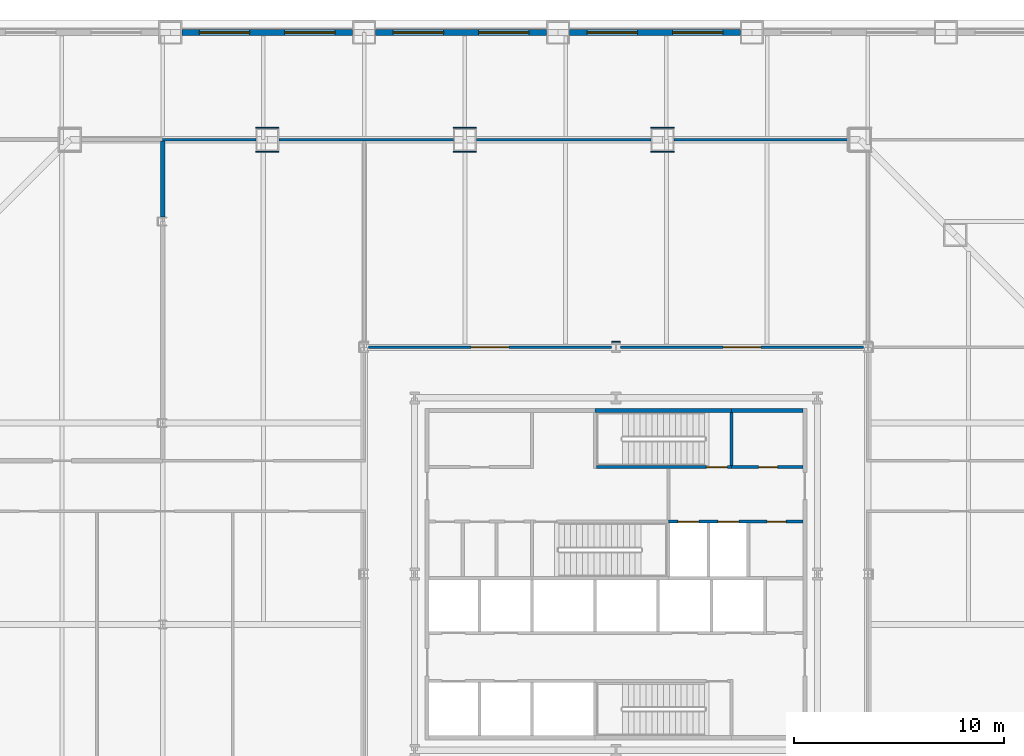
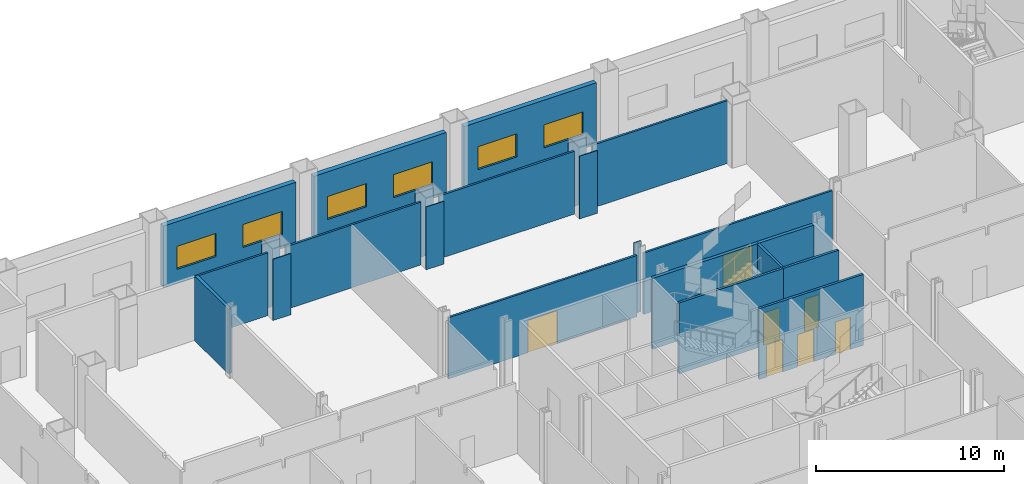
# One storey, part 16 of 25: 23 walls, 7 doors, 6 windows, 13 openings.
"""IFC4 building model written with IfcOpenShell, lengths in metres."""

from ifc_helpers import new_model, si_unit, direction, frame, frame_2d, origin, place, context, subcontext, project, spatial, polyline, rectangle, outline, extrude, material, layer, layer_set, type_object, element, fill, save


model = new_model("IFC4")

# Units and contexts
model_context = context("Model", 3, precision=1e-05, world=origin(), true_north=direction((0.0, 1.0)))
body_context = subcontext(model_context, "Body", "Model", "MODEL_VIEW")
ifc_project = project(units=[si_unit("LENGTHUNIT", "METRE"), si_unit("AREAUNIT", "SQUARE_METRE"), si_unit("VOLUMEUNIT", "CUBIC_METRE"), si_unit("PLANEANGLEUNIT", "RADIAN"), si_unit("MASSUNIT", "GRAM", prefix="KILO")], contexts=[model_context])

# Site, building, storey
site_placement = place(None, origin())
site = spatial("IfcSite", under=ifc_project, at=site_placement, CompositionType="ELEMENT")
building_placement = place(site_placement, origin())
building = spatial("IfcBuilding", under=site, at=building_placement, Name="Cairn Pilgrim Tower", CompositionType="ELEMENT")
storey_placement = place(building_placement, frame((0.0, 0.0, 30.60009765625)))
storey = spatial("IfcBuildingStorey", under=building, at=storey_placement, Name="L05", CompositionType="ELEMENT", Elevation=30.60009765625)

# Wall
ifc_material_1 = material(Name="Concrete C32/40", Category="concrete")
ifc_layer_1 = layer(ifc_material_1, 0.199951171875)
ifc_layer_set_1 = layer_set([ifc_layer_1], Name="CORE OUTER WALL 200 EI 120")
wall_type_1 = type_object("IfcWallType", Name="CORE OUTER WALL 200 EI 120", PredefinedType="SOLIDWALL", material=ifc_layer_set_1)
wall_1_placement = place(storey_placement, frame((12.699951171875, 10.199951171875, 0.0), z_axis=(0.0, 0.0, 1.0), x_axis=(1.0, 0.0, 0.0)))
element("IfcWall", 1, at=wall_1_placement, inside=storey, type_object=wall_type_1, Name="CW:L05:H11-3", PredefinedType="SOLIDWALL", context=body_context, shape_type="SweptSolid", body=[
    extrude(rectangle(XDim=3.400146484375, YDim=0.199951171875, at=frame_2d((1.7001953125, 0.0))), origin(), (0.0, 0.0, 1.0), 4.599853515625),
])

# Wall, openings, doors
ifc_layer_2 = layer(ifc_material_1, 0.14990234375)
ifc_layer_set_2 = layer_set([ifc_layer_2], Name="CORE SHAFT WALL 150 EI 120")
wall_type_2 = type_object("IfcWallType", Name="CORE SHAFT WALL 150 EI 120", PredefinedType="SOLIDWALL", material=ifc_layer_set_2)
wall_2_placement = place(storey_placement, frame((9.699951171875, 4.89990234375, 0.0), z_axis=(0.0, 0.0, 1.0), x_axis=(1.0, 0.0, 0.0)))
wall_2 = element("IfcWall", 2, at=wall_2_placement, inside=storey, type_object=wall_type_2, Name="CW:L05:H08-2", PredefinedType="SOLIDWALL", context=body_context, shape_type="SweptSolid", body=[
    extrude(rectangle(XDim=6.400146484375, YDim=0.14990234375, at=frame_2d((3.2001953125, 0.0))), origin(), (0.0, 0.0, 1.0), 4.599853515625),
])
opening_1_placement = place(wall_2_placement, frame((0.449951171875, 0.0, 0.0)))
opening_1 = element("IfcOpeningElement", 3, at=opening_1_placement, cuts=wall_2, Name="Opening LD-FF1", PredefinedType="OPENING", context=body_context, shape_type="SweptSolid", body=[
    extrude(rectangle(XDim=1.0, YDim=2.10009765625, at=frame_2d((0.5, 1.050048828125))), frame((0.0, 0.0849609375, 0.0), z_axis=(0.0, -1.0, 0.0), x_axis=(1.0, 0.0, 0.0)), (0.0, 0.0, 1.0), 0.169921875),
])
opening_2_placement = place(wall_2_placement, frame((2.35009765625, 0.0, 0.0)))
opening_2 = element("IfcOpeningElement", 4, at=opening_2_placement, cuts=wall_2, Name="Opening LD-FF2", PredefinedType="OPENING", context=body_context, shape_type="SweptSolid", body=[
    extrude(rectangle(XDim=1.0, YDim=2.10009765625, at=frame_2d((0.5, 1.050048828125))), frame((0.0, 0.0849609375, 0.0), z_axis=(0.0, -1.0, 0.0), x_axis=(1.0, 0.0, 0.0)), (0.0, 0.0, 1.0), 0.169921875),
])
opening_3_placement = place(wall_2_placement, frame((4.699951171875, 0.0, 0.0)))
opening_3 = element("IfcOpeningElement", 5, at=opening_3_placement, cuts=wall_2, Name="Opening RD-R3E", PredefinedType="OPENING", context=body_context, shape_type="SweptSolid", body=[
    extrude(rectangle(XDim=0.89990234375, YDim=2.10009765625, at=frame_2d((0.449951171875, 1.050048828125))), frame((0.0, 0.0849609375, 0.0), z_axis=(0.0, -1.0, 0.0), x_axis=(1.0, 0.0, 0.0)), (0.0, 0.0, 1.0), 0.169921875),
])
ifc_material_2 = material(Name="Stainless steel", Category="steel")
door_type_1 = type_object("IfcDoorType", Name="LIFT LANDING DOOR FIRE 1000x2100", OperationType="DOUBLE_DOOR_SLIDING", PredefinedType="DOOR", material=ifc_material_2)
door_1_placement = place(opening_1_placement, origin())
door_1 = element("IfcDoor", 6, at=door_1_placement, inside=storey, type_object=door_type_1, Name="LANDING DOOR FF1", OperationType="DOUBLE_DOOR_SLIDING", OverallHeight=2.10009765625, OverallWidth=1.0, PredefinedType="DOOR", context=body_context, shape_type="SweptSolid", body=[
    extrude(rectangle(XDim=1.0, YDim=2.10009765625, at=frame_2d((0.5, 1.050048828125))), frame((0.0, 0.02490234375, 0.0), z_axis=(0.0, -1.0, 0.0), x_axis=(1.0, 0.0, 0.0)), (0.0, 0.0, 1.0), 0.050048828125),
])
fill(opening_1, door_1)
door_2_placement = place(opening_2_placement, origin())
door_2 = element("IfcDoor", 7, at=door_2_placement, inside=storey, type_object=door_type_1, Name="LANDING DOOR FF2", OperationType="DOUBLE_DOOR_SLIDING", OverallHeight=2.10009765625, OverallWidth=1.0, PredefinedType="DOOR", context=body_context, shape_type="SweptSolid", body=[
    extrude(rectangle(XDim=1.0, YDim=2.10009765625, at=frame_2d((0.5, 1.050048828125))), frame((0.0, 0.02490234375, 0.0), z_axis=(0.0, -1.0, 0.0), x_axis=(1.0, 0.0, 0.0)), (0.0, 0.0, 1.0), 0.050048828125),
])
fill(opening_2, door_2)
ifc_material_3 = material(Name="Painted steel", Category="steel")
door_type_2 = type_object("IfcDoorType", Name="SERVICE ROOM DOOR 900x2100", OperationType="SINGLE_SWING_LEFT", PredefinedType="DOOR", material=ifc_material_3)
door_3_placement = place(opening_3_placement, origin())
door_3 = element("IfcDoor", 8, at=door_3_placement, inside=storey, type_object=door_type_2, Name="RD-R3E", OperationType="SINGLE_SWING_RIGHT", OverallHeight=2.10009765625, OverallWidth=0.89990234375, PredefinedType="DOOR", context=body_context, shape_type="SweptSolid", body=[
    extrude(rectangle(XDim=0.89990234375, YDim=2.10009765625, at=frame_2d((0.449951171875, 1.050048828125))), frame((0.0, 0.02490234375, 0.0), z_axis=(0.0, -1.0, 0.0), x_axis=(1.0, 0.0, 0.0)), (0.0, 0.0, 1.0), 0.050048828125),
])
fill(opening_3, door_3)

# Wall, opening, door
wall_3_placement = place(storey_placement, frame((12.699951171875, 7.5, 0.0), z_axis=(0.0, 0.0, 1.0), x_axis=(1.0, 0.0, 0.0)))
wall_3 = element("IfcWall", 9, at=wall_3_placement, inside=storey, type_object=wall_type_2, Name="CW:L05:H10-2", PredefinedType="SOLIDWALL", context=body_context, shape_type="SweptSolid", body=[
    extrude(rectangle(XDim=3.400146484375, YDim=0.14990234375, at=frame_2d((1.7001953125, 0.0))), origin(), (0.0, 0.0, 1.0), 4.599853515625),
])
opening_4_placement = place(wall_3_placement, frame((1.300048828125, 0.0, 0.0)))
opening_4 = element("IfcOpeningElement", 10, at=opening_4_placement, cuts=wall_3, Name="Opening RD-R4E", PredefinedType="OPENING", context=body_context, shape_type="SweptSolid", body=[
    extrude(rectangle(XDim=0.89990234375, YDim=2.10009765625, at=frame_2d((0.449951171875, 1.050048828125))), frame((0.0, 0.0849609375, 0.0), z_axis=(0.0, -1.0, 0.0), x_axis=(1.0, 0.0, 0.0)), (0.0, 0.0, 1.0), 0.169921875),
])
door_4_placement = place(opening_4_placement, origin())
door_4 = element("IfcDoor", 11, at=door_4_placement, inside=storey, type_object=door_type_2, Name="RD-R4E", OperationType="SINGLE_SWING_LEFT", OverallHeight=2.10009765625, OverallWidth=0.89990234375, PredefinedType="DOOR", context=body_context, shape_type="SweptSolid", body=[
    extrude(rectangle(XDim=0.89990234375, YDim=2.10009765625, at=frame_2d((0.449951171875, 1.050048828125))), frame((0.0, 0.02490234375, 0.0), z_axis=(0.0, -1.0, 0.0), x_axis=(1.0, 0.0, 0.0)), (0.0, 0.0, 1.0), 0.050048828125),
])
fill(opening_4, door_4)

ifc_material_4 = material(Name="Gypsum partition")
ifc_layer_3 = layer(ifc_material_4, 0.125)
ifc_layer_set_3 = layer_set([ifc_layer_3], Name="PARTITION 125 DRYWALL EI 60")
wall_type_3 = type_object("IfcWallType", Name="PARTITION 125 DRYWALL EI 60", PredefinedType="PARTITIONING", material=ifc_layer_set_3)
wall_4_placement = place(storey_placement, frame((-4.587890625, 13.199951171875, 0.0), z_axis=(0.0, 0.0, 1.0), x_axis=(1.0, 0.0, 0.0)))
wall_4 = element("IfcWall", 12, at=wall_4_placement, inside=storey, type_object=wall_type_3, Name="PARTITION W056", PredefinedType="PARTITIONING", context=body_context, shape_type="SweptSolid", body=[
    extrude(rectangle(XDim=11.575927734375, YDim=0.125, at=frame_2d((5.7880859375, 0.0))), origin(), (0.0, 0.0, 1.0), 3.97998046875),
])
opening_5_placement = place(wall_4_placement, frame((4.887939453125, 0.0, 0.0)))
opening_5 = element("IfcOpeningElement", 13, at=opening_5_placement, cuts=wall_4, Name="Opening 0506", PredefinedType="OPENING", context=body_context, shape_type="SweptSolid", body=[
    extrude(rectangle(XDim=1.800048828125, YDim=2.10009765625, at=frame_2d((0.89990234375, 1.050048828125))), frame((0.0, 0.072509765625, 0.0), z_axis=(0.0, -1.0, 0.0), x_axis=(1.0, 0.0, 0.0)), (0.0, 0.0, 1.0), 0.14501953125),
])
ifc_material_5 = material(Name="Timber door leaf", Category="wood")
door_type_3 = type_object("IfcDoorType", Name="DOOR PAIR 1800x2100 FD60S", OperationType="NOTDEFINED", PredefinedType="DOOR", material=ifc_material_5)
door_5_placement = place(opening_5_placement, frame((1.800048828125, 0.0, 0.0), z_axis=(0.0, 0.0, 1.0), x_axis=(-1.0, 0.0, 0.0)))
door_5 = element("IfcDoor", 14, at=door_5_placement, inside=storey, type_object=door_type_3, Name="DOOR 0506", OperationType="DOUBLE_DOOR_SINGLE_SWING", OverallHeight=2.10009765625, OverallWidth=1.800048828125, PredefinedType="DOOR", context=body_context, shape_type="SweptSolid", body=[
    extrude(rectangle(XDim=1.800048828125, YDim=2.10009765625, at=frame_2d((0.89990234375, 1.050048828125))), frame((0.0, 0.02490234375, 0.0), z_axis=(0.0, -1.0, 0.0), x_axis=(1.0, 0.0, 0.0)), (0.0, 0.0, 1.0), 0.050048828125),
])
fill(opening_5, door_5)

wall_5_placement = place(storey_placement, frame((7.412109375, 13.199951171875, 0.0), z_axis=(0.0, 0.0, 1.0), x_axis=(1.0, 0.0, 0.0)))
wall_5 = element("IfcWall", 15, at=wall_5_placement, inside=storey, type_object=wall_type_3, Name="PARTITION W057", PredefinedType="PARTITIONING", context=body_context, shape_type="SweptSolid", body=[
    extrude(rectangle(XDim=11.575927734375, YDim=0.125, at=frame_2d((5.7880859375, 0.0))), origin(), (0.0, 0.0, 1.0), 3.97998046875),
])
opening_6_placement = place(wall_5_placement, frame((4.887939453125, 0.0, 0.0)))
opening_6 = element("IfcOpeningElement", 16, at=opening_6_placement, cuts=wall_5, Name="Opening 0507", PredefinedType="OPENING", context=body_context, shape_type="SweptSolid", body=[
    extrude(rectangle(XDim=1.800048828125, YDim=2.10009765625, at=frame_2d((0.89990234375, 1.050048828125))), frame((0.0, 0.072509765625, 0.0), z_axis=(0.0, -1.0, 0.0), x_axis=(1.0, 0.0, 0.0)), (0.0, 0.0, 1.0), 0.14501953125),
])
door_6_placement = place(opening_6_placement, frame((1.800048828125, 0.0, 0.0), z_axis=(0.0, 0.0, 1.0), x_axis=(-1.0, 0.0, 0.0)))
door_6 = element("IfcDoor", 17, at=door_6_placement, inside=storey, type_object=door_type_3, Name="DOOR 0507", OperationType="DOUBLE_DOOR_SINGLE_SWING", OverallHeight=2.10009765625, OverallWidth=1.800048828125, PredefinedType="DOOR", context=body_context, shape_type="SweptSolid", body=[
    extrude(rectangle(XDim=1.800048828125, YDim=2.10009765625, at=frame_2d((0.89990234375, 1.050048828125))), frame((0.0, 0.02490234375, 0.0), z_axis=(0.0, -1.0, 0.0), x_axis=(1.0, 0.0, 0.0)), (0.0, 0.0, 1.0), 0.050048828125),
])
fill(opening_6, door_6)

# Walls
wall_6_placement = place(storey_placement, frame((-14.39990234375, 23.10009765625, 0.0), z_axis=(0.0, 0.0, 1.0), x_axis=(1.0, 0.0, 0.0)))
element("IfcWall", 18, at=wall_6_placement, inside=storey, type_object=wall_type_3, Name="PARTITION W069", PredefinedType="PARTITIONING", context=body_context, shape_type="SweptSolid", body=[
    extrude(rectangle(XDim=4.436279296875, YDim=0.125, at=frame_2d((2.21826171875, 0.0))), origin(), (0.0, 0.0, 1.0), 4.079833984375),
])
for number, where, z_axis, x_axis, name in (
    (19, (-8.863525390625, 23.10009765625, 0.0), (0.0, 0.0, 1.0), (1.0, 0.0, 0.0), "PARTITION W070"),
    (20, (0.550048828125, 23.10009765625, 0.0), (0.0, 0.0, 1.0), (1.0, 0.0, 0.0), "PARTITION W071"),
    (21, (9.963623046875, 23.10009765625, 0.0), (0.0, 0.0, 1.0), (1.0, 0.0, 0.0), "PARTITION W072"),
):
    element("IfcWall", number, at=place(storey_placement, frame(where, z_axis=z_axis, x_axis=x_axis)), inside=storey, type_object=wall_type_3, Name=name, PredefinedType="PARTITIONING", context=body_context, shape_type="SweptSolid", body=[
        extrude(rectangle(XDim=8.3134765625, YDim=0.125, at=frame_2d((4.15673828125, 0.0))), origin(), (0.0, 0.0, 1.0), 4.079833984375),
    ])
ifc_layer_4 = layer(ifc_material_4, 0.050048828125)
ifc_layer_set_4 = layer_set([ifc_layer_4], Name="PARTITION 50 DRYWALL EI 60")
wall_type_4 = type_object("IfcWallType", Name="PARTITION 50 DRYWALL EI 60", PredefinedType="PARTITIONING", material=ifc_layer_set_4)
wall_7_placement = place(storey_placement, frame((6.988037109375, 13.4619140625, 0.0), z_axis=(0.0, 0.0, 1.0), x_axis=(1.0, 0.0, 0.0)))
element("IfcWall", 22, at=wall_7_placement, inside=storey, type_object=wall_type_4, Name="COLUMN CASING WC35", PredefinedType="PARTITIONING", context=body_context, shape_type="SweptSolid", body=[
    extrude(rectangle(XDim=0.424072265625, YDim=0.050048828125, at=frame_2d((0.2119140625, 0.0))), origin(), (0.0, 0.0, 1.0), 4.599853515625),
])
wall_8_placement = place(storey_placement, frame((-9.963623046875, 22.52490234375, 0.0), z_axis=(0.0, 0.0, 1.0), x_axis=(1.0, 0.0, 0.0)))
element("IfcWall", 23, at=wall_8_placement, inside=storey, type_object=wall_type_4, Name="COLUMN CASING WC40", PredefinedType="PARTITIONING", context=body_context, shape_type="SweptSolid", body=[
    extrude(rectangle(XDim=1.10009765625, YDim=0.050048828125, at=frame_2d((0.550048828125, 0.0))), origin(), (0.0, 0.0, 1.0), 3.97998046875),
])
wall_9_placement = place(storey_placement, frame((-9.963623046875, 23.675048828125, 0.0), z_axis=(0.0, 0.0, 1.0), x_axis=(1.0, 0.0, 0.0)))
element("IfcWall", 24, at=wall_9_placement, inside=storey, type_object=wall_type_4, Name="COLUMN CASING WC41", PredefinedType="PARTITIONING", context=body_context, shape_type="SweptSolid", body=[
    extrude(rectangle(XDim=1.10009765625, YDim=0.050048828125, at=frame_2d((0.550048828125, 0.0))), origin(), (0.0, 0.0, 1.0), 4.219970703125),
])
wall_10_placement = place(storey_placement, frame((-0.550048828125, 22.52490234375, 0.0), z_axis=(0.0, 0.0, 1.0), x_axis=(1.0, 0.0, 0.0)))
element("IfcWall", 25, at=wall_10_placement, inside=storey, type_object=wall_type_4, Name="COLUMN CASING WC42", PredefinedType="PARTITIONING", context=body_context, shape_type="SweptSolid", body=[
    extrude(rectangle(XDim=1.10009765625, YDim=0.050048828125, at=frame_2d((0.550048828125, 0.0))), origin(), (0.0, 0.0, 1.0), 4.079833984375),
])
wall_11_placement = place(storey_placement, frame((-0.550048828125, 23.675048828125, 0.0), z_axis=(0.0, 0.0, 1.0), x_axis=(1.0, 0.0, 0.0)))
element("IfcWall", 26, at=wall_11_placement, inside=storey, type_object=wall_type_4, Name="COLUMN CASING WC43", PredefinedType="PARTITIONING", context=body_context, shape_type="SweptSolid", body=[
    extrude(rectangle(XDim=1.10009765625, YDim=0.050048828125, at=frame_2d((0.550048828125, 0.0))), origin(), (0.0, 0.0, 1.0), 4.219970703125),
])
wall_12_placement = place(storey_placement, frame((8.863525390625, 22.52490234375, 0.0), z_axis=(0.0, 0.0, 1.0), x_axis=(1.0, 0.0, 0.0)))
element("IfcWall", 27, at=wall_12_placement, inside=storey, type_object=wall_type_4, Name="COLUMN CASING WC44", PredefinedType="PARTITIONING", context=body_context, shape_type="SweptSolid", body=[
    extrude(rectangle(XDim=1.10009765625, YDim=0.050048828125, at=frame_2d((0.550048828125, 0.0))), origin(), (0.0, 0.0, 1.0), 4.079833984375),
])
wall_13_placement = place(storey_placement, frame((8.863525390625, 23.675048828125, 0.0), z_axis=(0.0, 0.0, 1.0), x_axis=(1.0, 0.0, 0.0)))
element("IfcWall", 28, at=wall_13_placement, inside=storey, type_object=wall_type_4, Name="COLUMN CASING WC45", PredefinedType="PARTITIONING", context=body_context, shape_type="SweptSolid", body=[
    extrude(rectangle(XDim=1.10009765625, YDim=0.050048828125, at=frame_2d((0.550048828125, 0.0))), origin(), (0.0, 0.0, 1.0), 4.219970703125),
])

# Wall, openings, windows
ifc_material_6 = material(Name="Concrete C35/45 backup wall with bronze aluminium cladding", Category="concrete")
ifc_layer_5 = layer(ifc_material_6, 0.300048828125)
ifc_layer_set_5 = layer_set([ifc_layer_5], Name="PODIUM WALL 300 BRONZE-CLAD")
wall_type_5 = type_object("IfcWallType", Name="PODIUM WALL 300 BRONZE-CLAD", PredefinedType="SOLIDWALL", material=ifc_layer_set_5)
wall_14_placement = place(storey_placement, frame((13.125732421875, 28.199951171875, 0.0), z_axis=(0.0, 0.0, 1.0), x_axis=(-1.0, 0.0, 0.0)))
wall_14 = element("IfcWall", 29, at=wall_14_placement, inside=storey, type_object=wall_type_5, Name="PODIUM EXTERNAL WALL N3-N4", PredefinedType="SOLIDWALL", context=body_context, shape_type="SweptSolid", body=[
    extrude(rectangle(XDim=8.137939453125, YDim=0.300048828125, at=frame_2d((4.06884765625, 0.0))), origin(), (0.0, 0.0, 1.0), 4.0),
])
opening_7_placement = place(wall_14_placement, frame((0.83447265625, 0.0, 0.89990234375)))
opening_7 = element("IfcOpeningElement", 30, at=opening_7_placement, cuts=wall_14, Name="Opening PW15", PredefinedType="OPENING", context=body_context, shape_type="SweptSolid", body=[
    extrude(rectangle(XDim=2.39990234375, YDim=1.5, at=frame_2d((1.199951171875, 0.75))), frame((0.0, 0.16015625, 0.0), z_axis=(0.0, -1.0, 0.0), x_axis=(1.0, 0.0, 0.0)), (0.0, 0.0, 1.0), 0.320068359375),
])
opening_8_placement = place(wall_14_placement, frame((4.9033203125, 0.0, 0.89990234375)))
opening_8 = element("IfcOpeningElement", 31, at=opening_8_placement, cuts=wall_14, Name="Opening PW15", PredefinedType="OPENING", context=body_context, shape_type="SweptSolid", body=[
    extrude(rectangle(XDim=2.39990234375, YDim=1.5, at=frame_2d((1.199951171875, 0.75))), frame((0.0, 0.16015625, 0.0), z_axis=(0.0, -1.0, 0.0), x_axis=(1.0, 0.0, 0.0)), (0.0, 0.0, 1.0), 0.320068359375),
])
ifc_material_7 = material(Name="Bronze anodised aluminium frame with tinted low-E glass", Category="aluminium")
window_type = type_object("IfcWindowType", Name="PODIUM FIXED WINDOW 2400x1500", PartitioningType="SINGLE_PANEL", PredefinedType="WINDOW", material=ifc_material_7)
window_1_placement = place(opening_7_placement, origin())
window_1 = element("IfcWindow", 32, at=window_1_placement, inside=storey, type_object=window_type, Name="PODIUM WINDOW", OverallHeight=1.5, OverallWidth=2.39990234375, PartitioningType="SINGLE_PANEL", PredefinedType="WINDOW", context=body_context, shape_type="SweptSolid", body=[
    extrude(rectangle(XDim=2.39990234375, YDim=1.5, at=frame_2d((1.199951171875, 0.75))), frame((0.0, 0.030029296875, 0.0), z_axis=(0.0, -1.0, 0.0), x_axis=(1.0, 0.0, 0.0)), (0.0, 0.0, 1.0), 0.06005859375),
])
fill(opening_7, window_1)
window_2_placement = place(opening_8_placement, origin())
window_2 = element("IfcWindow", 33, at=window_2_placement, inside=storey, type_object=window_type, Name="PODIUM WINDOW", OverallHeight=1.5, OverallWidth=2.39990234375, PartitioningType="SINGLE_PANEL", PredefinedType="WINDOW", context=body_context, shape_type="SweptSolid", body=[
    extrude(rectangle(XDim=2.39990234375, YDim=1.5, at=frame_2d((1.199951171875, 0.75))), frame((0.0, 0.030029296875, 0.0), z_axis=(0.0, -1.0, 0.0), x_axis=(1.0, 0.0, 0.0)), (0.0, 0.0, 1.0), 0.06005859375),
])
fill(opening_8, window_2)

wall_15_placement = place(storey_placement, frame((3.887939453125, 28.199951171875, 0.0), z_axis=(0.0, 0.0, 1.0), x_axis=(-1.0, 0.0, 0.0)))
wall_15 = element("IfcWall", 34, at=wall_15_placement, inside=storey, type_object=wall_type_5, Name="PODIUM EXTERNAL WALL N4-N5", PredefinedType="SOLIDWALL", context=body_context, shape_type="SweptSolid", body=[
    extrude(rectangle(XDim=8.137939453125, YDim=0.300048828125, at=frame_2d((4.06884765625, 0.0))), origin(), (0.0, 0.0, 1.0), 4.0),
])
opening_9_placement = place(wall_15_placement, frame((0.83447265625, 0.0, 0.89990234375)))
opening_9 = element("IfcOpeningElement", 35, at=opening_9_placement, cuts=wall_15, Name="Opening PW15", PredefinedType="OPENING", context=body_context, shape_type="SweptSolid", body=[
    extrude(rectangle(XDim=2.39990234375, YDim=1.5, at=frame_2d((1.199951171875, 0.75))), frame((0.0, 0.16015625, 0.0), z_axis=(0.0, -1.0, 0.0), x_axis=(1.0, 0.0, 0.0)), (0.0, 0.0, 1.0), 0.320068359375),
])
opening_10_placement = place(wall_15_placement, frame((4.9033203125, 0.0, 0.89990234375)))
opening_10 = element("IfcOpeningElement", 36, at=opening_10_placement, cuts=wall_15, Name="Opening PW15", PredefinedType="OPENING", context=body_context, shape_type="SweptSolid", body=[
    extrude(rectangle(XDim=2.39990234375, YDim=1.5, at=frame_2d((1.199951171875, 0.75))), frame((0.0, 0.16015625, 0.0), z_axis=(0.0, -1.0, 0.0), x_axis=(1.0, 0.0, 0.0)), (0.0, 0.0, 1.0), 0.320068359375),
])
window_3_placement = place(opening_9_placement, origin())
window_3 = element("IfcWindow", 37, at=window_3_placement, inside=storey, type_object=window_type, Name="PODIUM WINDOW", OverallHeight=1.5, OverallWidth=2.39990234375, PartitioningType="SINGLE_PANEL", PredefinedType="WINDOW", context=body_context, shape_type="SweptSolid", body=[
    extrude(rectangle(XDim=2.39990234375, YDim=1.5, at=frame_2d((1.199951171875, 0.75))), frame((0.0, 0.030029296875, 0.0), z_axis=(0.0, -1.0, 0.0), x_axis=(1.0, 0.0, 0.0)), (0.0, 0.0, 1.0), 0.06005859375),
])
fill(opening_9, window_3)
window_4_placement = place(opening_10_placement, origin())
window_4 = element("IfcWindow", 38, at=window_4_placement, inside=storey, type_object=window_type, Name="PODIUM WINDOW", OverallHeight=1.5, OverallWidth=2.39990234375, PartitioningType="SINGLE_PANEL", PredefinedType="WINDOW", context=body_context, shape_type="SweptSolid", body=[
    extrude(rectangle(XDim=2.39990234375, YDim=1.5, at=frame_2d((1.199951171875, 0.75))), frame((0.0, 0.030029296875, 0.0), z_axis=(0.0, -1.0, 0.0), x_axis=(1.0, 0.0, 0.0)), (0.0, 0.0, 1.0), 0.06005859375),
])
fill(opening_10, window_4)

wall_16_placement = place(storey_placement, frame((-5.35009765625, 28.199951171875, 0.0), z_axis=(0.0, 0.0, 1.0), x_axis=(-1.0, 0.0, 0.0)))
wall_16 = element("IfcWall", 39, at=wall_16_placement, inside=storey, type_object=wall_type_5, Name="PODIUM EXTERNAL WALL N5-N6", PredefinedType="SOLIDWALL", context=body_context, shape_type="SweptSolid", body=[
    extrude(rectangle(XDim=8.1376953125, YDim=0.300048828125, at=frame_2d((4.06884765625, 0.0))), origin(), (0.0, 0.0, 1.0), 4.0),
])
opening_11_placement = place(wall_16_placement, frame((0.83447265625, 0.0, 0.89990234375)))
opening_11 = element("IfcOpeningElement", 40, at=opening_11_placement, cuts=wall_16, Name="Opening PW15", PredefinedType="OPENING", context=body_context, shape_type="SweptSolid", body=[
    extrude(rectangle(XDim=2.39990234375, YDim=1.5, at=frame_2d((1.199951171875, 0.75))), frame((0.0, 0.16015625, 0.0), z_axis=(0.0, -1.0, 0.0), x_axis=(1.0, 0.0, 0.0)), (0.0, 0.0, 1.0), 0.320068359375),
])
opening_12_placement = place(wall_16_placement, frame((4.9033203125, 0.0, 0.89990234375)))
opening_12 = element("IfcOpeningElement", 41, at=opening_12_placement, cuts=wall_16, Name="Opening PW15", PredefinedType="OPENING", context=body_context, shape_type="SweptSolid", body=[
    extrude(rectangle(XDim=2.39990234375, YDim=1.5, at=frame_2d((1.199951171875, 0.75))), frame((0.0, 0.16015625, 0.0), z_axis=(0.0, -1.0, 0.0), x_axis=(1.0, 0.0, 0.0)), (0.0, 0.0, 1.0), 0.320068359375),
])
window_5_placement = place(opening_11_placement, origin())
window_5 = element("IfcWindow", 42, at=window_5_placement, inside=storey, type_object=window_type, Name="PODIUM WINDOW", OverallHeight=1.5, OverallWidth=2.39990234375, PartitioningType="SINGLE_PANEL", PredefinedType="WINDOW", context=body_context, shape_type="SweptSolid", body=[
    extrude(rectangle(XDim=2.39990234375, YDim=1.5, at=frame_2d((1.199951171875, 0.75))), frame((0.0, 0.030029296875, 0.0), z_axis=(0.0, -1.0, 0.0), x_axis=(1.0, 0.0, 0.0)), (0.0, 0.0, 1.0), 0.06005859375),
])
fill(opening_11, window_5)
window_6_placement = place(opening_12_placement, origin())
window_6 = element("IfcWindow", 43, at=window_6_placement, inside=storey, type_object=window_type, Name="PODIUM WINDOW", OverallHeight=1.5, OverallWidth=2.39990234375, PartitioningType="SINGLE_PANEL", PredefinedType="WINDOW", context=body_context, shape_type="SweptSolid", body=[
    extrude(rectangle(XDim=2.39990234375, YDim=1.5, at=frame_2d((1.199951171875, 0.75))), frame((0.0, 0.030029296875, 0.0), z_axis=(0.0, -1.0, 0.0), x_axis=(1.0, 0.0, 0.0)), (0.0, 0.0, 1.0), 0.06005859375),
])
fill(opening_12, window_6)

# Wall
ifc_layer_6 = layer(ifc_material_4, 0.199951171875)
ifc_layer_set_6 = layer_set([ifc_layer_6], Name="SHAFT WALL 200 GYPSUM EI 120")
wall_type_6 = type_object("IfcWallType", Name="SHAFT WALL 200 GYPSUM EI 120", PredefinedType="PARTITIONING", material=ifc_layer_set_6)
wall_17_placement = place(storey_placement, frame((-14.39990234375, 19.41259765625, 0.0), z_axis=(0.0, 0.0, 1.0), x_axis=(0.0, 1.0, 0.0)))
element("IfcWall", 44, at=wall_17_placement, inside=storey, type_object=wall_type_6, Name="PARTITION W066", PredefinedType="PARTITIONING", context=body_context, shape_type="SweptSolid", body=[
    extrude(outline(polyline([(0.0, 0.0), (3.625, 0.0), (3.625, 4.079833984375), (3.53759765625, 4.079833984375), (3.535400390625, 4.219970703125), (0.0, 4.219970703125), (0.0, 0.0)])), frame((0.0, 0.10009765625, 0.0), z_axis=(0.0, -1.0, 0.0), x_axis=(1.0, 0.0, 0.0)), (0.0, 0.0, 1.0), 0.199951171875),
])

# Wall, opening, door
ifc_material_8 = material(Name="Concrete C35/45", Category="concrete")
ifc_layer_7 = layer(ifc_material_8, 0.14990234375)
ifc_layer_set_7 = layer_set([ifc_layer_7], Name="STAIR SHAFT WALL 150 EI 120")
wall_type_7 = type_object("IfcWallType", Name="STAIR SHAFT WALL 150 EI 120", PredefinedType="SOLIDWALL", material=ifc_layer_set_7)
wall_18_placement = place(storey_placement, frame((6.27490234375, 7.5, 0.0), z_axis=(0.0, 0.0, 1.0), x_axis=(1.0, 0.0, 0.0)))
wall_18 = element("IfcWall", 45, at=wall_18_placement, inside=storey, type_object=wall_type_7, Name="CW:L05:H10-1", PredefinedType="SOLIDWALL", context=body_context, shape_type="SweptSolid", body=[
    extrude(rectangle(XDim=6.425048828125, YDim=0.14990234375, at=frame_2d((3.21240234375, 0.0))), origin(), (0.0, 0.0, 1.0), 4.599853515625),
])
opening_13_placement = place(wall_18_placement, frame((5.22509765625, 0.0, 0.0)))
opening_13 = element("IfcOpeningElement", 46, at=opening_13_placement, cuts=wall_18, Name="Opening SD-C", PredefinedType="OPENING", context=body_context, shape_type="SweptSolid", body=[
    extrude(rectangle(XDim=1.0, YDim=2.10009765625, at=frame_2d((0.5, 1.050048828125))), frame((0.0, 0.0849609375, 0.0), z_axis=(0.0, -1.0, 0.0), x_axis=(1.0, 0.0, 0.0)), (0.0, 0.0, 1.0), 0.169921875),
])
door_type_4 = type_object("IfcDoorType", Name="STAIR DOOR FD60S 1000x2100", OperationType="SINGLE_SWING_LEFT", PredefinedType="DOOR", material=ifc_material_3)
door_7_placement = place(opening_13_placement, origin())
door_7 = element("IfcDoor", 47, at=door_7_placement, inside=storey, type_object=door_type_4, Name="SD-C", OperationType="SINGLE_SWING_RIGHT", OverallHeight=2.10009765625, OverallWidth=1.0, PredefinedType="DOOR", context=body_context, shape_type="SweptSolid", body=[
    extrude(rectangle(XDim=1.0, YDim=2.10009765625, at=frame_2d((0.5, 1.050048828125))), frame((0.0, 0.02490234375, 0.0), z_axis=(0.0, -1.0, 0.0), x_axis=(1.0, 0.0, 0.0)), (0.0, 0.0, 1.0), 0.050048828125),
])
fill(opening_13, door_7)

# Walls
wall_19_placement = place(storey_placement, frame((12.699951171875, 7.574951171875, 0.0), z_axis=(0.0, 0.0, 1.0), x_axis=(0.0, 1.0, 0.0)))
element("IfcWall", 48, at=wall_19_placement, inside=storey, type_object=wall_type_7, Name="CW:L05:V30", PredefinedType="SOLIDWALL", context=body_context, shape_type="SweptSolid", body=[
    extrude(rectangle(XDim=2.525146484375, YDim=0.14990234375, at=frame_2d((1.2626953125, 0.0))), origin(), (0.0, 0.0, 1.0), 4.599853515625),
])
ifc_layer_8 = layer(ifc_material_8, 0.199951171875)
ifc_layer_set_8 = layer_set([ifc_layer_8], Name="STAIR SHAFT WALL 200 EI 120")
wall_type_8 = type_object("IfcWallType", Name="STAIR SHAFT WALL 200 EI 120", PredefinedType="SOLIDWALL", material=ifc_layer_set_8)
wall_20_placement = place(storey_placement, frame((6.199951171875, 10.199951171875, 0.0), z_axis=(0.0, 0.0, 1.0), x_axis=(1.0, 0.0, 0.0)))
element("IfcWall", 49, at=wall_20_placement, inside=storey, type_object=wall_type_8, Name="CW:L05:H11-2", PredefinedType="SOLIDWALL", context=body_context, shape_type="SweptSolid", body=[
    extrude(rectangle(XDim=6.5, YDim=0.199951171875, at=frame_2d((3.25, 0.0))), origin(), (0.0, 0.0, 1.0), 4.599853515625),
])

save(model, "model.ifc")
